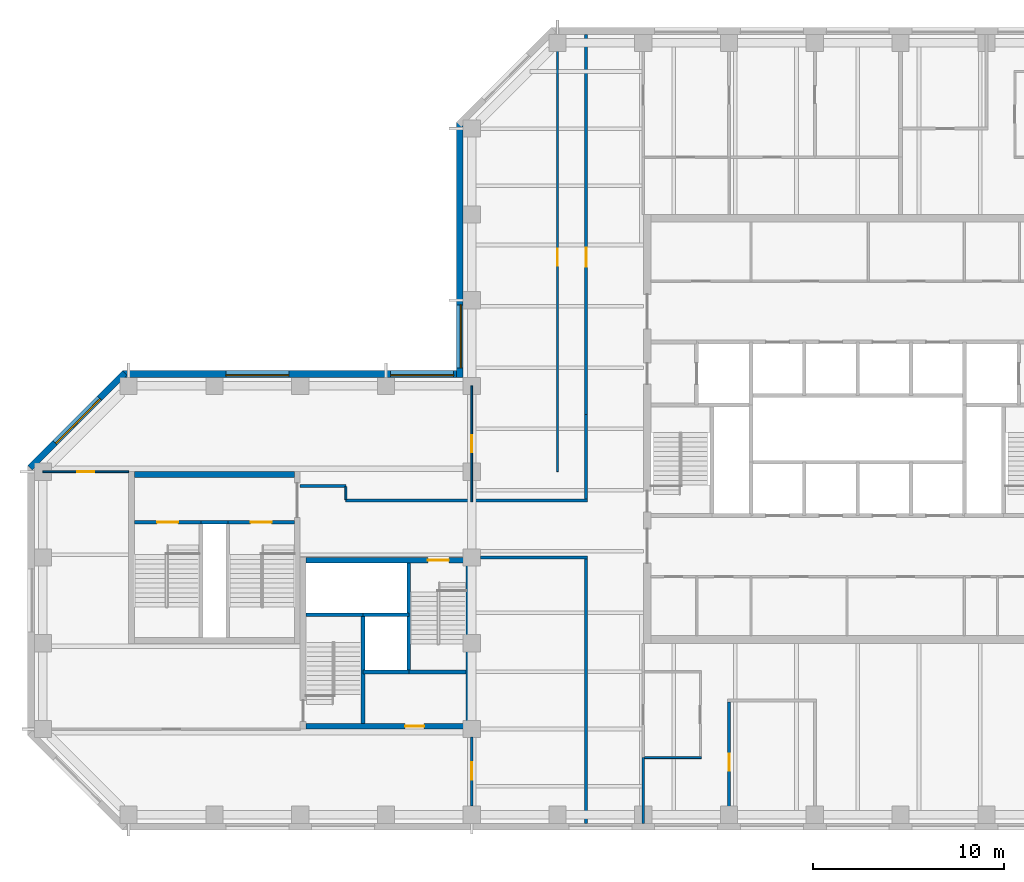
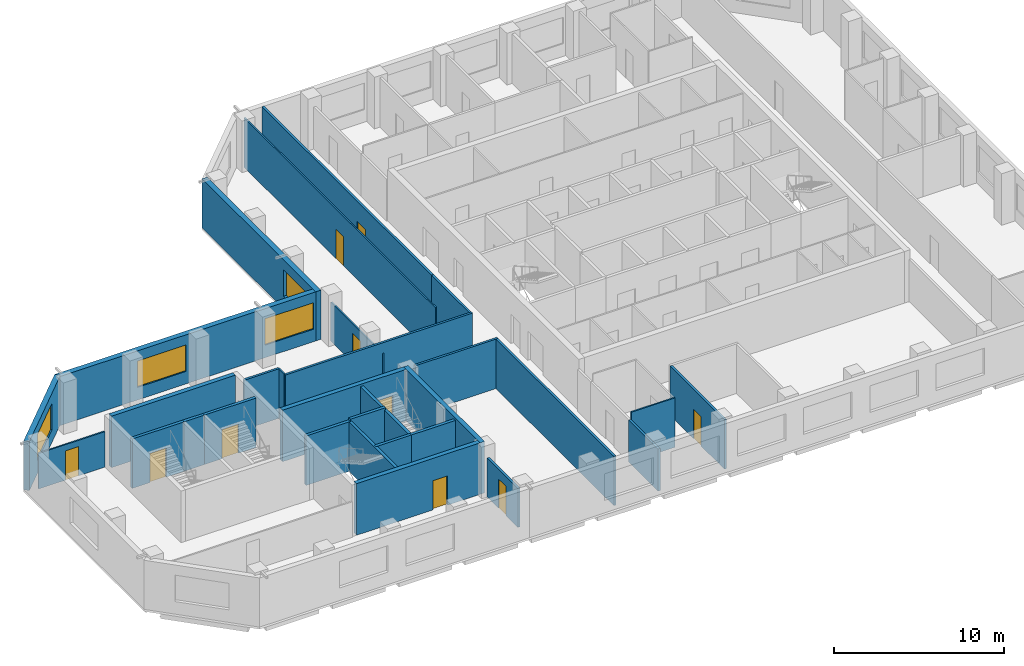
# One storey, part 3 of 9: 30 walls, 10 doors, 4 windows, 14 openings.
"""IFC4 building model written with IfcOpenShell, lengths in metres."""

from ifc_helpers import new_model, si_unit, direction, frame, frame_2d, origin, place, context, subcontext, project, spatial, rectangle, extrude, material, layer, layer_set, constituent, constituent_set, type_object, element, fill, save


model = new_model("IFC4")

# Units and contexts
model_context = context("Model", 3, precision=1e-05, world=origin(), true_north=direction((0.0, 1.0)))
body_context = subcontext(model_context, "Body", "Model", "MODEL_VIEW")
ifc_project = project(units=[si_unit("LENGTHUNIT", "METRE"), si_unit("AREAUNIT", "SQUARE_METRE"), si_unit("VOLUMEUNIT", "CUBIC_METRE"), si_unit("PLANEANGLEUNIT", "RADIAN"), si_unit("MASSUNIT", "GRAM", prefix="KILO")], contexts=[model_context])

# Site, building, storey
site_placement = place(None, origin())
site = spatial("IfcSite", under=ifc_project, at=site_placement, CompositionType="ELEMENT")
building_placement = place(site_placement, origin())
building = spatial("IfcBuilding", under=site, at=building_placement, Name="Quoin Convention Tower", CompositionType="ELEMENT")
storey_placement = place(building_placement, frame((0.0, 0.0, 155.10009765625)))
storey = spatial("IfcBuildingStorey", under=building, at=storey_placement, Name="L40", CompositionType="ELEMENT", Elevation=155.10009765625)

# Wall, opening, door
ifc_material_1 = material(Name="Plasterboard")
ifc_layer_1 = layer(ifc_material_1, 0.012451171875, Name="Finish")
ifc_material_2 = material(Name="Steel stud framing", Category="steel")
ifc_layer_2 = layer(ifc_material_2, 0.125, Name="Structure")
ifc_layer_3 = layer(ifc_material_1, 0.012451171875, Name="Finish")
ifc_layer_set_1 = layer_set([ifc_layer_1, ifc_layer_2, ifc_layer_3], Name="Steel stud framing")
wall_type_1 = type_object("IfcWallType", Name="Acoustic partition 150", PredefinedType="PARTITIONING", material=ifc_layer_set_1)
wall_1_placement = place(storey_placement, frame((49.5, 40.050048828125, 0.0), z_axis=(0.0, 0.0, 1.0), x_axis=(0.0, 1.0, 0.0)))
wall_1 = element("IfcWall", 1, at=wall_1_placement, inside=storey, type_object=wall_type_1, Name="pw-L40-032", PredefinedType="PARTITIONING", context=body_context, shape_type="SweptSolid", body=[
    extrude(rectangle(XDim=6.375, YDim=0.14990234375, at=frame_2d((3.1875, 0.0))), origin(), (0.0, 0.0, 1.0), 3.5498046875),
])
opening_1_placement = place(wall_1_placement, frame((2.75, 0.0, 0.0)))
opening_1 = element("IfcOpeningElement", 2, at=opening_1_placement, cuts=wall_1, Name="Opening DOH2-06", PredefinedType="OPENING", context=body_context, shape_type="SweptSolid", body=[
    extrude(rectangle(XDim=0.89990234375, YDim=2.10009765625, at=frame_2d((0.449951171875, 1.050048828125))), frame((0.0, 0.0849609375, 0.0), z_axis=(0.0, -1.0, 0.0), x_axis=(1.0, 0.0, 0.0)), (0.0, 0.0, 1.0), 0.169921875),
])
ifc_material_3 = material(Name="Steel door leaf", Category="steel")
door_type_1 = type_object("IfcDoorType", Name="Office door 900 x 2100", OperationType="SINGLE_SWING_RIGHT", PredefinedType="DOOR", material=ifc_material_3)
door_1_placement = place(opening_1_placement, origin())
door_1 = element("IfcDoor", 3, at=door_1_placement, inside=storey, type_object=door_type_1, Name="dr-L40-15", OperationType="SINGLE_SWING_RIGHT", OverallHeight=2.10009765625, OverallWidth=0.89990234375, PredefinedType="DOOR", context=body_context, shape_type="SweptSolid", body=[
    extrude(rectangle(XDim=0.89990234375, YDim=2.10009765625, at=frame_2d((0.449951171875, 1.050048828125))), frame((0.0, 0.02490234375, 0.0), z_axis=(0.0, -1.0, 0.0), x_axis=(1.0, 0.0, 0.0)), (0.0, 0.0, 1.0), 0.050048828125),
])
fill(opening_1, door_1)

# Wall, opening, window
ifc_material_4 = material(Name="Brick masonry", Category="masonry")
ifc_layer_4 = layer(ifc_material_4, 0.35009765625)
ifc_layer_set_2 = layer_set([ifc_layer_4], Name="Brick masonry")
wall_type_2 = type_object("IfcWallType", Name="Brick facade wall", PredefinedType="STANDARD", material=ifc_layer_set_2)
wall_2_placement = place(storey_placement, frame((35.375, 76.831298828125, 0.0), z_axis=(0.0, 0.0, 1.0), x_axis=(0.0, -1.0, 0.0)))
wall_2 = element("IfcWall", 4, at=wall_2_placement, inside=storey, type_object=wall_type_2, Name="fw-L40-36000_76500", PredefinedType="STANDARD", context=body_context, shape_type="SweptSolid", body=[
    extrude(rectangle(XDim=13.38134765625, YDim=0.35009765625, at=frame_2d((6.690673828125, 0.0))), origin(), (0.0, 0.0, 1.0), 3.52490234375),
])
opening_2_placement = place(wall_2_placement, frame((9.581298828125, 0.0, 0.89990234375)))
opening_2 = element("IfcOpeningElement", 5, at=opening_2_placement, cuts=wall_2, Name="Opening W-02", PredefinedType="OPENING", context=body_context, shape_type="SweptSolid", body=[
    extrude(rectangle(XDim=3.300048828125, YDim=1.89990234375, at=frame_2d((1.64990234375, 0.949951171875))), frame((0.0, 0.18505859375, 0.0), z_axis=(0.0, -1.0, 0.0), x_axis=(1.0, 0.0, 0.0)), (0.0, 0.0, 1.0), 0.3701171875),
])
ifc_material_5 = material(Name="Aluminium", Category="aluminium")
ifc_constituent_1 = constituent(ifc_material_5, Name="Frame")
ifc_material_6 = material(Name="Insulated glass", Category="glass")
ifc_constituent_2 = constituent(ifc_material_6, Name="Glazing")
ifc_constituent_set = constituent_set(constituents=[ifc_constituent_1, ifc_constituent_2], Name="Aluminium")
window_type = type_object("IfcWindowType", Name="Office window", PartitioningType="DOUBLE_PANEL_VERTICAL", PredefinedType="WINDOW", material=ifc_constituent_set)
window_1_placement = place(opening_2_placement, origin())
window_1 = element("IfcWindow", 6, at=window_1_placement, inside=storey, type_object=window_type, Name="win-L40-35375_65250", OverallHeight=1.89990234375, OverallWidth=3.300048828125, PartitioningType="SINGLE_PANEL", PredefinedType="WINDOW", context=body_context, shape_type="SweptSolid", body=[
    extrude(rectangle(XDim=3.300048828125, YDim=1.89990234375, at=frame_2d((1.64990234375, 0.949951171875))), frame((0.0, 0.0849609375, 0.0), z_axis=(0.0, -1.0, 0.0), x_axis=(1.0, 0.0, 0.0)), (0.0, 0.0, 1.0), 0.06005859375),
])
fill(opening_2, window_1)

# Wall, openings, windows
wall_3_placement = place(storey_placement, frame((35.550048828125, 63.625, 0.0), z_axis=(0.0, 0.0, 1.0), x_axis=(-1.0, 0.0, 0.0)))
wall_3 = element("IfcWall", 7, at=wall_3_placement, inside=storey, type_object=wall_type_2, Name="fw-L40-36000_63000", PredefinedType="STANDARD", context=body_context, shape_type="SweptSolid", body=[
    extrude(rectangle(XDim=17.88134765625, YDim=0.35009765625, at=frame_2d((8.940673828125, 0.0))), origin(), (0.0, 0.0, 1.0), 3.52490234375),
])
opening_3_placement = place(wall_3_placement, frame((0.5, 0.0, 0.89990234375)))
opening_3 = element("IfcOpeningElement", 8, at=opening_3_placement, cuts=wall_3, Name="Opening W-02", PredefinedType="OPENING", context=body_context, shape_type="SweptSolid", body=[
    extrude(rectangle(XDim=3.300048828125, YDim=1.89990234375, at=frame_2d((1.64990234375, 0.949951171875))), frame((0.0, 0.18505859375, 0.0), z_axis=(0.0, -1.0, 0.0), x_axis=(1.0, 0.0, 0.0)), (0.0, 0.0, 1.0), 0.3701171875),
])
opening_4_placement = place(wall_3_placement, frame((9.14990234375, 0.0, 0.89990234375)))
opening_4 = element("IfcOpeningElement", 9, at=opening_4_placement, cuts=wall_3, Name="Opening W-02", PredefinedType="OPENING", context=body_context, shape_type="SweptSolid", body=[
    extrude(rectangle(XDim=3.300048828125, YDim=1.89990234375, at=frame_2d((1.64990234375, 0.949951171875))), frame((0.0, 0.18505859375, 0.0), z_axis=(0.0, -1.0, 0.0), x_axis=(1.0, 0.0, 0.0)), (0.0, 0.0, 1.0), 0.3701171875),
])
window_2_placement = place(opening_3_placement, origin())
window_2 = element("IfcWindow", 10, at=window_2_placement, inside=storey, type_object=window_type, Name="win-L40-33750_63625", OverallHeight=1.89990234375, OverallWidth=3.300048828125, PartitioningType="SINGLE_PANEL", PredefinedType="WINDOW", context=body_context, shape_type="SweptSolid", body=[
    extrude(rectangle(XDim=3.300048828125, YDim=1.89990234375, at=frame_2d((1.64990234375, 0.949951171875))), frame((0.0, 0.0849609375, 0.0), z_axis=(0.0, -1.0, 0.0), x_axis=(1.0, 0.0, 0.0)), (0.0, 0.0, 1.0), 0.06005859375),
])
fill(opening_3, window_2)
window_3_placement = place(opening_4_placement, origin())
window_3 = element("IfcWindow", 11, at=window_3_placement, inside=storey, type_object=window_type, Name="win-L40-24750_63625", OverallHeight=1.89990234375, OverallWidth=3.300048828125, PartitioningType="SINGLE_PANEL", PredefinedType="WINDOW", context=body_context, shape_type="SweptSolid", body=[
    extrude(rectangle(XDim=3.300048828125, YDim=1.89990234375, at=frame_2d((1.64990234375, 0.949951171875))), frame((0.0, 0.0849609375, 0.0), z_axis=(0.0, -1.0, 0.0), x_axis=(1.0, 0.0, 0.0)), (0.0, 0.0, 1.0), 0.06005859375),
])
fill(opening_4, window_3)

# Wall, opening, window
wall_4_placement = place(storey_placement, frame((17.79248046875, 63.67626953125, 0.0), z_axis=(0.0, 0.0, 1.0), x_axis=(-0.707106781187, -0.707106781187, 0.0)))
wall_4 = element("IfcWall", 12, at=wall_4_placement, inside=storey, type_object=wall_type_2, Name="fw-L40-18000_63000", PredefinedType="STANDARD", context=body_context, shape_type="SweptSolid", body=[
    extrude(rectangle(XDim=7.02685546875, YDim=0.35009765625, at=frame_2d((3.513427734375, 0.0))), origin(), (0.0, 0.0, 1.0), 3.52490234375),
])
opening_5_placement = place(wall_4_placement, frame((1.86328125, 0.0, 0.89990234375)))
opening_5 = element("IfcOpeningElement", 13, at=opening_5_placement, cuts=wall_4, Name="Opening W-02", PredefinedType="OPENING", context=body_context, shape_type="SweptSolid", body=[
    extrude(rectangle(XDim=3.300048828125, YDim=1.89990234375, at=frame_2d((1.64990234375, 0.949951171875))), frame((0.0, 0.18505859375, 0.0), z_axis=(0.0, -1.0, 0.0), x_axis=(1.0, 0.0, 0.0)), (0.0, 0.0, 1.0), 0.3701171875),
])
window_4_placement = place(opening_5_placement, origin())
window_4 = element("IfcWindow", 14, at=window_4_placement, inside=storey, type_object=window_type, Name="win-L40-15308_61192", OverallHeight=1.89990234375, OverallWidth=3.300048828125, PartitioningType="SINGLE_PANEL", PredefinedType="WINDOW", context=body_context, shape_type="SweptSolid", body=[
    extrude(rectangle(XDim=3.300048828125, YDim=1.89990234375, at=frame_2d((1.64990234375, 0.949951171875))), frame((0.0, 0.0849609375, 0.0), z_axis=(0.0, -1.0, 0.0), x_axis=(1.0, 0.0, 0.0)), (0.0, 0.0, 1.0), 0.06005859375),
])
fill(opening_5, window_4)

# Walls
ifc_material_7 = material(Name="Concrete C50", Category="concrete")
ifc_layer_5 = layer(ifc_material_7, 0.199951171875)
ifc_layer_set_3 = layer_set([ifc_layer_5], Name="Concrete C50")
wall_type_3 = type_object("IfcWallType", Name="Core shaft wall", PredefinedType="SOLIDWALL", material=ifc_layer_set_3)
wall_5_placement = place(storey_placement, frame((30.300048828125, 48.0, 0.0), z_axis=(0.0, 0.0, 1.0), x_axis=(1.0, 0.0, 0.0)))
element("IfcWall", 15, at=wall_5_placement, inside=storey, type_object=wall_type_3, Name="cr-P2-L40-h3000_3300", PredefinedType="SOLIDWALL", context=body_context, shape_type="SweptSolid", body=[
    extrude(rectangle(XDim=2.39990234375, YDim=0.199951171875, at=frame_2d((1.199951171875, 0.0))), origin(), (0.0, 0.0, 1.0), 3.5498046875),
])
for number, where, z_axis, x_axis, name in (
    (16, (32.699951171875, 48.0, 0.0), (0.0, 0.0, 1.0), (1.0, 0.0, 0.0), "cr-P2-L40-h3000_5700"),
    (17, (27.300048828125, 51.0, 0.0), (0.0, 0.0, 1.0), (1.0, 0.0, 0.0), "cr-P2-L40-h6000_300"),
):
    element("IfcWall", number, at=place(storey_placement, frame(where, z_axis=z_axis, x_axis=x_axis)), inside=storey, type_object=wall_type_3, Name=name, PredefinedType="SOLIDWALL", context=body_context, shape_type="SweptSolid", body=[
        extrude(rectangle(XDim=3.0, YDim=0.199951171875, at=frame_2d((1.5, 0.0))), origin(), (0.0, 0.0, 1.0), 3.5498046875),
    ])
for number, where, z_axis, x_axis, name in (
    (18, (30.300048828125, 45.300048828125, 0.0), (0.0, 0.0, 1.0), (0.0, 1.0, 0.0), "cr-P2-L40-v3300_300"),
    (19, (32.699951171875, 48.0, 0.0), (0.0, 0.0, 1.0), (0.0, 1.0, 0.0), "cr-P2-L40-v5700_3000"),
):
    element("IfcWall", number, at=place(storey_placement, frame(where, z_axis=z_axis, x_axis=x_axis)), inside=storey, type_object=wall_type_3, Name=name, PredefinedType="SOLIDWALL", context=body_context, shape_type="SweptSolid", body=[
        extrude(rectangle(XDim=5.699951171875, YDim=0.199951171875, at=frame_2d((2.85009765625, 0.0))), origin(), (0.0, 0.0, 1.0), 3.5498046875),
    ])
wall_6_placement = place(storey_placement, frame((21.800048828125, 55.85009765625, 0.0), z_axis=(0.0, 0.0, 1.0), x_axis=(1.0, 0.0, 0.0)))
element("IfcWall", 20, at=wall_6_placement, inside=storey, type_object=wall_type_3, Name="cr-P6-L40-h6350_3800", PredefinedType="SOLIDWALL", context=body_context, shape_type="SweptSolid", body=[
    extrude(rectangle(XDim=1.39990234375, YDim=0.199951171875, at=frame_2d((0.699951171875, 0.0))), origin(), (0.0, 0.0, 1.0), 3.5498046875),
])

# Wall, opening, door
wall_7_placement = place(storey_placement, frame((18.300048828125, 55.85009765625, 0.0), z_axis=(0.0, 0.0, 1.0), x_axis=(1.0, 0.0, 0.0)))
wall_7 = element("IfcWall", 21, at=wall_7_placement, inside=storey, type_object=wall_type_3, Name="cr-P6-L40-h6350_300", PredefinedType="SOLIDWALL", context=body_context, shape_type="SweptSolid", body=[
    extrude(rectangle(XDim=3.5, YDim=0.199951171875, at=frame_2d((1.75, 0.0))), origin(), (0.0, 0.0, 1.0), 3.5498046875),
])
opening_6_placement = place(wall_7_placement, frame((1.199951171875, 0.0, 0.0)))
opening_6 = element("IfcOpeningElement", 22, at=opening_6_placement, cuts=wall_7, Name="Opening SD11", PredefinedType="OPENING", context=body_context, shape_type="SweptSolid", body=[
    extrude(rectangle(XDim=1.10009765625, YDim=2.10009765625, at=frame_2d((0.550048828125, 1.050048828125))), frame((0.0, 0.10986328125, 0.0), z_axis=(0.0, -1.0, 0.0), x_axis=(1.0, 0.0, 0.0)), (0.0, 0.0, 1.0), 0.219970703125),
])
door_type_2 = type_object("IfcDoorType", Name="Stair door 1100 x 2100", OperationType="SINGLE_SWING_RIGHT", PredefinedType="DOOR", material=ifc_material_3)
door_2_placement = place(opening_6_placement, origin())
door_2 = element("IfcDoor", 23, at=door_2_placement, inside=storey, type_object=door_type_2, Name="cd-P6-L40-SA-R2-SD11", OperationType="SINGLE_SWING_RIGHT", OverallHeight=2.10009765625, OverallWidth=1.10009765625, PredefinedType="DOOR", context=body_context, shape_type="SweptSolid", body=[
    extrude(rectangle(XDim=1.10009765625, YDim=2.10009765625, at=frame_2d((0.550048828125, 1.050048828125))), frame((0.0, 0.02490234375, 0.0), z_axis=(0.0, -1.0, 0.0), x_axis=(1.0, 0.0, 0.0)), (0.0, 0.0, 1.0), 0.050048828125),
])
fill(opening_6, door_2)

wall_8_placement = place(storey_placement, frame((23.199951171875, 55.85009765625, 0.0), z_axis=(0.0, 0.0, 1.0), x_axis=(1.0, 0.0, 0.0)))
wall_8 = element("IfcWall", 24, at=wall_8_placement, inside=storey, type_object=wall_type_3, Name="cr-P6-L40-h6350_5200", PredefinedType="SOLIDWALL", context=body_context, shape_type="SweptSolid", body=[
    extrude(rectangle(XDim=3.5, YDim=0.199951171875, at=frame_2d((1.75, 0.0))), origin(), (0.0, 0.0, 1.0), 3.5498046875),
])
opening_7_placement = place(wall_8_placement, frame((1.199951171875, 0.0, 0.0)))
opening_7 = element("IfcOpeningElement", 25, at=opening_7_placement, cuts=wall_8, Name="Opening SD12", PredefinedType="OPENING", context=body_context, shape_type="SweptSolid", body=[
    extrude(rectangle(XDim=1.10009765625, YDim=2.10009765625, at=frame_2d((0.550048828125, 1.050048828125))), frame((0.0, 0.10986328125, 0.0), z_axis=(0.0, -1.0, 0.0), x_axis=(1.0, 0.0, 0.0)), (0.0, 0.0, 1.0), 0.219970703125),
])
door_3_placement = place(opening_7_placement, origin())
door_3 = element("IfcDoor", 26, at=door_3_placement, inside=storey, type_object=door_type_2, Name="cd-P6-L40-SB-R2-SD12", OperationType="SINGLE_SWING_RIGHT", OverallHeight=2.10009765625, OverallWidth=1.10009765625, PredefinedType="DOOR", context=body_context, shape_type="SweptSolid", body=[
    extrude(rectangle(XDim=1.10009765625, YDim=2.10009765625, at=frame_2d((0.550048828125, 1.050048828125))), frame((0.0, 0.02490234375, 0.0), z_axis=(0.0, -1.0, 0.0), x_axis=(1.0, 0.0, 0.0)), (0.0, 0.0, 1.0), 0.050048828125),
])
fill(opening_7, door_3)

# Walls
ifc_layer_6 = layer(ifc_material_7, 0.199951171875)
ifc_layer_set_4 = layer_set([ifc_layer_6], Name="Concrete C50")
wall_type_4 = type_object("IfcWallType", Name="Core shaft wall to the floor level over", PredefinedType="SOLIDWALL", material=ifc_layer_set_4)
wall_9_placement = place(storey_placement, frame((30.300048828125, 51.0, 0.0), z_axis=(0.0, 0.0, 1.0), x_axis=(1.0, 0.0, 0.0)))
element("IfcWall", 27, at=wall_9_placement, inside=storey, type_object=wall_type_4, Name="cr-P2-L40-h6000_3300", PredefinedType="SOLIDWALL", context=body_context, shape_type="SweptSolid", body=[
    extrude(rectangle(XDim=2.39990234375, YDim=0.199951171875, at=frame_2d((1.199951171875, 0.0))), origin(), (0.0, 0.0, 1.0), 3.699951171875),
])
ifc_layer_7 = layer(ifc_material_1, 0.012451171875, Name="Finish")
ifc_layer_8 = layer(ifc_material_2, 0.125, Name="Structure")
ifc_layer_9 = layer(ifc_material_1, 0.012451171875, Name="Finish")
ifc_layer_set_5 = layer_set([ifc_layer_7, ifc_layer_8, ifc_layer_9], Name="Steel stud framing")
wall_type_5 = type_object("IfcWallType", Name="Corridor wall 150", PredefinedType="PARTITIONING", material=ifc_layer_set_5)
wall_10_placement = place(storey_placement, frame((36.449951171875, 54.0, 0.0), z_axis=(0.0, 0.0, 1.0), x_axis=(1.0, 0.0, 0.0)))
element("IfcWall", 28, at=wall_10_placement, inside=storey, type_object=wall_type_5, Name="pw-L40-010", PredefinedType="PARTITIONING", context=body_context, shape_type="SweptSolid", body=[
    extrude(rectangle(XDim=5.625, YDim=0.14990234375, at=frame_2d((2.8125, 0.0))), origin(), (0.0, 0.0, 1.0), 3.5498046875),
])
wall_11_placement = place(storey_placement, frame((29.3798828125, 57.0, 0.0), z_axis=(0.0, 0.0, 1.0), x_axis=(1.0, 0.0, 0.0)))
element("IfcWall", 29, at=wall_11_placement, inside=storey, type_object=wall_type_5, Name="pw-L40-011", PredefinedType="PARTITIONING", context=body_context, shape_type="SweptSolid", body=[
    extrude(rectangle(XDim=12.695068359375, YDim=0.14990234375, at=frame_2d((6.34765625, 0.0))), origin(), (0.0, 0.0, 1.0), 3.5498046875),
])
wall_12_placement = place(storey_placement, frame((42.0, 40.050048828125, 0.0), z_axis=(0.0, 0.0, 1.0), x_axis=(0.0, 1.0, 0.0)))
element("IfcWall", 30, at=wall_12_placement, inside=storey, type_object=wall_type_5, Name="pw-L40-030", PredefinedType="PARTITIONING", context=body_context, shape_type="SweptSolid", body=[
    extrude(rectangle(XDim=13.875, YDim=0.14990234375, at=frame_2d((6.9375, 0.0))), origin(), (0.0, 0.0, 1.0), 3.5498046875),
])
wall_13_placement = place(storey_placement, frame((42.0, 57.074951171875, 0.0), z_axis=(0.0, 0.0, 1.0), x_axis=(0.0, 1.0, 0.0)))
element("IfcWall", 31, at=wall_13_placement, inside=storey, type_object=wall_type_5, Name="pw-L40-048", PredefinedType="PARTITIONING", context=body_context, shape_type="SweptSolid", body=[
    extrude(rectangle(XDim=4.425048828125, YDim=0.14990234375, at=frame_2d((2.21240234375, 0.0))), origin(), (0.0, 0.0, 1.0), 3.5498046875),
])

# Wall, opening, door
wall_14_placement = place(storey_placement, frame((42.0, 61.5, 0.0), z_axis=(0.0, 0.0, 1.0), x_axis=(0.0, 1.0, 0.0)))
wall_14 = element("IfcWall", 32, at=wall_14_placement, inside=storey, type_object=wall_type_5, Name="pw-L40-056", PredefinedType="PARTITIONING", context=body_context, shape_type="SweptSolid", body=[
    extrude(rectangle(XDim=19.949951171875, YDim=0.14990234375, at=frame_2d((9.97509765625, 0.0))), origin(), (0.0, 0.0, 1.0), 3.5498046875),
])
opening_8_placement = place(wall_14_placement, frame((7.75, 0.0, 0.0)))
opening_8 = element("IfcOpeningElement", 33, at=opening_8_placement, cuts=wall_14, Name="Opening DOH2-13", PredefinedType="OPENING", context=body_context, shape_type="SweptSolid", body=[
    extrude(rectangle(XDim=1.0, YDim=2.10009765625, at=frame_2d((0.5, 1.050048828125))), frame((0.0, 0.0849609375, 0.0), z_axis=(0.0, -1.0, 0.0), x_axis=(1.0, 0.0, 0.0)), (0.0, 0.0, 1.0), 0.169921875),
])
door_type_3 = type_object("IfcDoorType", Name="Tenancy entrance door 1000 x 2100", OperationType="DOUBLE_DOOR_SINGLE_SWING", PredefinedType="DOOR", material=ifc_material_3)
door_4_placement = place(opening_8_placement, origin())
door_4 = element("IfcDoor", 34, at=door_4_placement, inside=storey, type_object=door_type_3, Name="dr-L40-w01", OperationType="DOUBLE_DOOR_SINGLE_SWING", OverallHeight=2.10009765625, OverallWidth=1.0, PredefinedType="DOOR", context=body_context, shape_type="SweptSolid", body=[
    extrude(rectangle(XDim=1.0, YDim=2.10009765625, at=frame_2d((0.5, 1.050048828125))), frame((0.0, 0.02490234375, 0.0), z_axis=(0.0, -1.0, 0.0), x_axis=(1.0, 0.0, 0.0)), (0.0, 0.0, 1.0), 0.050048828125),
])
fill(opening_8, door_4)

# Walls
wall_15_placement = place(storey_placement, frame((27.0, 57.75, 0.0), z_axis=(0.0, 0.0, 1.0), x_axis=(1.0, 0.0, 0.0)))
element("IfcWall", 35, at=wall_15_placement, inside=storey, type_object=wall_type_5, Name="pw-L40-w05", PredefinedType="PARTITIONING", context=body_context, shape_type="SweptSolid", body=[
    extrude(rectangle(XDim=2.39990234375, YDim=0.14990234375, at=frame_2d((1.199951171875, 0.0))), origin(), (0.0, 0.0, 1.0), 3.5498046875),
])
ifc_layer_10 = layer(ifc_material_1, 0.012451171875, Name="Finish")
ifc_layer_11 = layer(ifc_material_2, 0.125, Name="Structure")
ifc_layer_12 = layer(ifc_material_1, 0.012451171875, Name="Finish")
ifc_layer_set_6 = layer_set([ifc_layer_10, ifc_layer_11, ifc_layer_12], Name="Steel stud framing")
wall_type_6 = type_object("IfcWallType", Name="Corridor wall 150 under beam 528", PredefinedType="PARTITIONING", material=ifc_layer_set_6)
wall_16_placement = place(storey_placement, frame((45.0, 40.050048828125, 0.0), z_axis=(0.0, 0.0, 1.0), x_axis=(0.0, 1.0, 0.0)))
element("IfcWall", 36, at=wall_16_placement, inside=storey, type_object=wall_type_6, Name="pw-L40-031", PredefinedType="PARTITIONING", context=body_context, shape_type="SweptSolid", body=[
    extrude(rectangle(XDim=3.449951171875, YDim=0.14990234375, at=frame_2d((1.72509765625, 0.0))), origin(), (0.0, 0.0, 1.0), 3.02197265625),
])

# Wall, opening, door
ifc_layer_13 = layer(ifc_material_1, 0.012451171875, Name="Finish")
ifc_layer_14 = layer(ifc_material_2, 0.125, Name="Structure")
ifc_layer_15 = layer(ifc_material_1, 0.012451171875, Name="Finish")
ifc_layer_set_7 = layer_set([ifc_layer_13, ifc_layer_14, ifc_layer_15], Name="Steel stud framing")
wall_type_7 = type_object("IfcWallType", Name="Corridor wall 150 under beam 750", PredefinedType="PARTITIONING", material=ifc_layer_set_7)
wall_17_placement = place(storey_placement, frame((36.0, 40.949951171875, 0.0), z_axis=(0.0, 0.0, 1.0), x_axis=(0.0, 1.0, 0.0)))
wall_17 = element("IfcWall", 37, at=wall_17_placement, inside=storey, type_object=wall_type_7, Name="pw-L40-036", PredefinedType="PARTITIONING", context=body_context, shape_type="SweptSolid", body=[
    extrude(rectangle(XDim=3.630126953125, YDim=0.14990234375, at=frame_2d((1.81494140625, 0.0))), origin(), (0.0, 0.0, 1.0), 2.7998046875),
])
opening_9_placement = place(wall_17_placement, frame((1.39990234375, 0.0, 0.0)))
opening_9 = element("IfcOpeningElement", 38, at=opening_9_placement, cuts=wall_17, Name="Opening DOH2-07", PredefinedType="OPENING", context=body_context, shape_type="SweptSolid", body=[
    extrude(rectangle(XDim=0.89990234375, YDim=2.10009765625, at=frame_2d((0.449951171875, 1.050048828125))), frame((0.0, 0.0849609375, 0.0), z_axis=(0.0, -1.0, 0.0), x_axis=(1.0, 0.0, 0.0)), (0.0, 0.0, 1.0), 0.169921875),
])
door_5_placement = place(opening_9_placement, origin())
door_5 = element("IfcDoor", 39, at=door_5_placement, inside=storey, type_object=door_type_1, Name="dr-L40-01", OperationType="SINGLE_SWING_RIGHT", OverallHeight=2.10009765625, OverallWidth=0.89990234375, PredefinedType="DOOR", context=body_context, shape_type="SweptSolid", body=[
    extrude(rectangle(XDim=0.89990234375, YDim=2.10009765625, at=frame_2d((0.449951171875, 1.050048828125))), frame((0.0, 0.02490234375, 0.0), z_axis=(0.0, -1.0, 0.0), x_axis=(1.0, 0.0, 0.0)), (0.0, 0.0, 1.0), 0.050048828125),
])
fill(opening_9, door_5)

ifc_layer_16 = layer(ifc_material_7, 0.300048828125)
ifc_layer_set_8 = layer_set([ifc_layer_16], Name="Concrete C50")
wall_type_8 = type_object("IfcWallType", Name="RC CORE WALL 300 C50", PredefinedType="SHEAR", material=ifc_layer_set_8)
wall_18_placement = place(storey_placement, frame((27.300048828125, 45.14990234375, 0.0), z_axis=(0.0, 0.0, 1.0), x_axis=(1.0, 0.0, 0.0)))
wall_18 = element("IfcWall", 40, at=wall_18_placement, inside=storey, type_object=wall_type_8, Name="cwl-P2-L40-S", PredefinedType="SHEAR", context=body_context, shape_type="SweptSolid", body=[
    extrude(rectangle(XDim=8.39990234375, YDim=0.300048828125, at=frame_2d((4.199951171875, 0.0))), origin(), (0.0, 0.0, 1.0), 3.699951171875),
])
opening_10_placement = place(wall_18_placement, frame((5.199951171875, 0.0, 0.0)))
opening_10 = element("IfcOpeningElement", 41, at=opening_10_placement, cuts=wall_18, Name="Opening DCV2-41", PredefinedType="OPENING", context=body_context, shape_type="SweptSolid", body=[
    extrude(rectangle(XDim=1.0, YDim=2.10009765625, at=frame_2d((0.5, 1.050048828125))), frame((0.0, 0.159912109375, 0.0), z_axis=(0.0, -1.0, 0.0), x_axis=(1.0, 0.0, 0.0)), (0.0, 0.0, 1.0), 0.320068359375),
])
door_type_4 = type_object("IfcDoorType", Name="Service door 1000 x 2100", OperationType="SINGLE_SWING_LEFT", PredefinedType="DOOR", material=ifc_material_3)
door_6_placement = place(opening_10_placement, frame((1.0, 0.0, 0.0), z_axis=(0.0, 0.0, 1.0), x_axis=(-1.0, 0.0, 0.0)))
door_6 = element("IfcDoor", 42, at=door_6_placement, inside=storey, type_object=door_type_4, Name="cd-P2-L40-R2-S", OperationType="SINGLE_SWING_LEFT", OverallHeight=2.10009765625, OverallWidth=1.0, PredefinedType="DOOR", context=body_context, shape_type="SweptSolid", body=[
    extrude(rectangle(XDim=1.0, YDim=2.10009765625, at=frame_2d((0.5, 1.050048828125))), frame((0.0, 0.02490234375, 0.0), z_axis=(0.0, -1.0, 0.0), x_axis=(1.0, 0.0, 0.0)), (0.0, 0.0, 1.0), 0.050048828125),
])
fill(opening_10, door_6)

wall_19_placement = place(storey_placement, frame((27.300048828125, 53.85009765625, 0.0), z_axis=(0.0, 0.0, 1.0), x_axis=(1.0, 0.0, 0.0)))
wall_19 = element("IfcWall", 43, at=wall_19_placement, inside=storey, type_object=wall_type_8, Name="cwl-P2-L40-N", PredefinedType="SHEAR", context=body_context, shape_type="SweptSolid", body=[
    extrude(rectangle(XDim=8.39990234375, YDim=0.300048828125, at=frame_2d((4.199951171875, 0.0))), origin(), (0.0, 0.0, 1.0), 3.699951171875),
])
opening_11_placement = place(wall_19_placement, frame((6.39990234375, 0.0, 0.0)))
opening_11 = element("IfcOpeningElement", 44, at=opening_11_placement, cuts=wall_19, Name="Opening SD4", PredefinedType="OPENING", context=body_context, shape_type="SweptSolid", body=[
    extrude(rectangle(XDim=1.10009765625, YDim=2.10009765625, at=frame_2d((0.550048828125, 1.050048828125))), frame((0.0, 0.159912109375, 0.0), z_axis=(0.0, -1.0, 0.0), x_axis=(1.0, 0.0, 0.0)), (0.0, 0.0, 1.0), 0.320068359375),
])
door_7_placement = place(opening_11_placement, frame((1.10009765625, 0.0, 0.0), z_axis=(0.0, 0.0, 1.0), x_axis=(-1.0, 0.0, 0.0)))
door_7 = element("IfcDoor", 45, at=door_7_placement, inside=storey, type_object=door_type_2, Name="cd-P2-L40-SB-N", OperationType="SINGLE_SWING_LEFT", OverallHeight=2.10009765625, OverallWidth=1.10009765625, PredefinedType="DOOR", context=body_context, shape_type="SweptSolid", body=[
    extrude(rectangle(XDim=1.10009765625, YDim=2.10009765625, at=frame_2d((0.550048828125, 1.050048828125))), frame((0.0, 0.02490234375, 0.0), z_axis=(0.0, -1.0, 0.0), x_axis=(1.0, 0.0, 0.0)), (0.0, 0.0, 1.0), 0.050048828125),
])
fill(opening_11, door_7)

# Walls
wall_20_placement = place(storey_placement, frame((35.85009765625, 45.0, 0.0), z_axis=(0.0, 0.0, 1.0), x_axis=(0.0, 1.0, 0.0)))
element("IfcWall", 46, at=wall_20_placement, inside=storey, type_object=wall_type_8, Name="cwl-P2-L40-E", PredefinedType="SHEAR", context=body_context, shape_type="SweptSolid", body=[
    extrude(rectangle(XDim=9.0, YDim=0.300048828125, at=frame_2d((4.5, 0.0))), origin(), (0.0, 0.0, 1.0), 3.699951171875),
])
wall_21_placement = place(storey_placement, frame((18.300048828125, 58.35009765625, 0.0), z_axis=(0.0, 0.0, 1.0), x_axis=(1.0, 0.0, 0.0)))
element("IfcWall", 47, at=wall_21_placement, inside=storey, type_object=wall_type_8, Name="cwl-P6-L40-N", PredefinedType="SHEAR", context=body_context, shape_type="SweptSolid", body=[
    extrude(rectangle(XDim=8.39990234375, YDim=0.300048828125, at=frame_2d((4.199951171875, 0.0))), origin(), (0.0, 0.0, 1.0), 3.699951171875),
])
ifc_layer_17 = layer(ifc_material_1, 0.012451171875, Name="Finish")
ifc_layer_18 = layer(ifc_material_2, 0.074951171875, Name="Structure")
ifc_layer_19 = layer(ifc_material_1, 0.012451171875, Name="Finish")
ifc_layer_set_9 = layer_set([ifc_layer_17, ifc_layer_18, ifc_layer_19], Name="Steel stud framing")
wall_type_9 = type_object("IfcWallType", Name="Stud partition 100", PredefinedType="PARTITIONING", material=ifc_layer_set_9)
wall_22_placement = place(storey_placement, frame((45.074951171875, 43.5, 0.0), z_axis=(0.0, 0.0, 1.0), x_axis=(1.0, 0.0, 0.0)))
element("IfcWall", 48, at=wall_22_placement, inside=storey, type_object=wall_type_9, Name="pw-L40-001", PredefinedType="PARTITIONING", context=body_context, shape_type="SweptSolid", body=[
    extrude(rectangle(XDim=2.97509765625, YDim=0.10009765625, at=frame_2d((1.487548828125, 0.0))), origin(), (0.0, 0.0, 1.0), 3.5498046875),
])

# Wall, opening, door
wall_23_placement = place(storey_placement, frame((40.5, 81.0, 0.0), z_axis=(0.0, 0.0, 1.0), x_axis=(0.0, -1.0, 0.0)))
wall_23 = element("IfcWall", 49, at=wall_23_placement, inside=storey, type_object=wall_type_9, Name="pw-L40-w01", PredefinedType="PARTITIONING", context=body_context, shape_type="SweptSolid", body=[
    extrude(rectangle(XDim=22.5, YDim=0.10009765625, at=frame_2d((11.25, 0.0))), origin(), (0.0, 0.0, 1.0), 3.5498046875),
])
opening_12_placement = place(wall_23_placement, frame((10.800048828125, 0.0, 0.0)))
opening_12 = element("IfcOpeningElement", 50, at=opening_12_placement, cuts=wall_23, Name="Opening DOH2-19", PredefinedType="OPENING", context=body_context, shape_type="SweptSolid", body=[
    extrude(rectangle(XDim=0.89990234375, YDim=2.10009765625, at=frame_2d((0.449951171875, 1.050048828125))), frame((0.0, 0.06005859375, 0.0), z_axis=(0.0, -1.0, 0.0), x_axis=(1.0, 0.0, 0.0)), (0.0, 0.0, 1.0), 0.1201171875),
])
door_8_placement = place(opening_12_placement, frame((0.89990234375, 0.0, 0.0), z_axis=(0.0, 0.0, 1.0), x_axis=(-1.0, 0.0, 0.0)))
door_8 = element("IfcDoor", 51, at=door_8_placement, inside=storey, type_object=door_type_1, Name="dr-L40-w02", OperationType="SINGLE_SWING_RIGHT", OverallHeight=2.10009765625, OverallWidth=0.89990234375, PredefinedType="DOOR", context=body_context, shape_type="SweptSolid", body=[
    extrude(rectangle(XDim=0.89990234375, YDim=2.10009765625, at=frame_2d((0.449951171875, 1.050048828125))), frame((0.0, 0.02490234375, 0.0), z_axis=(0.0, -1.0, 0.0), x_axis=(1.0, 0.0, 0.0)), (0.0, 0.0, 1.0), 0.050048828125),
])
fill(opening_12, door_8)

# Wall
wall_24_placement = place(storey_placement, frame((29.39990234375, 57.715087890625, 0.0), z_axis=(0.0, 0.0, 1.0), x_axis=(0.0, -1.0, 0.0)))
element("IfcWall", 52, at=wall_24_placement, inside=storey, type_object=wall_type_9, Name="pw-L40-w06", PredefinedType="PARTITIONING", context=body_context, shape_type="SweptSolid", body=[
    extrude(rectangle(XDim=0.68017578125, YDim=0.10009765625, at=frame_2d((0.340087890625, 0.0))), origin(), (0.0, 0.0, 1.0), 3.5498046875),
])

# Wall, opening, door
ifc_layer_20 = layer(ifc_material_1, 0.012451171875, Name="Finish")
ifc_layer_21 = layer(ifc_material_2, 0.074951171875, Name="Structure")
ifc_layer_22 = layer(ifc_material_1, 0.012451171875, Name="Finish")
ifc_layer_set_10 = layer_set([ifc_layer_20, ifc_layer_21, ifc_layer_22], Name="Steel stud framing")
wall_type_10 = type_object("IfcWallType", Name="Stud partition 100 under beam 1000", PredefinedType="PARTITIONING", material=ifc_layer_set_10)
wall_25_placement = place(storey_placement, frame((13.5, 58.5, 0.0), z_axis=(0.0, 0.0, 1.0), x_axis=(1.0, 0.0, 0.0)))
wall_25 = element("IfcWall", 53, at=wall_25_placement, inside=storey, type_object=wall_type_10, Name="pw-L40-w03", PredefinedType="PARTITIONING", context=body_context, shape_type="SweptSolid", body=[
    extrude(rectangle(XDim=4.5, YDim=0.10009765625, at=frame_2d((2.25, 0.0))), origin(), (0.0, 0.0, 1.0), 2.5498046875),
])
opening_13_placement = place(wall_25_placement, frame((1.800048828125, 0.0, 0.0)))
opening_13 = element("IfcOpeningElement", 54, at=opening_13_placement, cuts=wall_25, Name="Opening DOH2-21", PredefinedType="OPENING", context=body_context, shape_type="SweptSolid", body=[
    extrude(rectangle(XDim=0.89990234375, YDim=2.10009765625, at=frame_2d((0.449951171875, 1.050048828125))), frame((0.0, 0.06005859375, 0.0), z_axis=(0.0, -1.0, 0.0), x_axis=(1.0, 0.0, 0.0)), (0.0, 0.0, 1.0), 0.1201171875),
])
door_9_placement = place(opening_13_placement, origin())
door_9 = element("IfcDoor", 55, at=door_9_placement, inside=storey, type_object=door_type_1, Name="dr-L40-w04", OperationType="SINGLE_SWING_RIGHT", OverallHeight=2.10009765625, OverallWidth=0.89990234375, PredefinedType="DOOR", context=body_context, shape_type="SweptSolid", body=[
    extrude(rectangle(XDim=0.89990234375, YDim=2.10009765625, at=frame_2d((0.449951171875, 1.050048828125))), frame((0.0, 0.02490234375, 0.0), z_axis=(0.0, -1.0, 0.0), x_axis=(1.0, 0.0, 0.0)), (0.0, 0.0, 1.0), 0.050048828125),
])
fill(opening_13, door_9)

ifc_layer_23 = layer(ifc_material_1, 0.012451171875, Name="Finish")
ifc_layer_24 = layer(ifc_material_2, 0.074951171875, Name="Structure")
ifc_layer_25 = layer(ifc_material_1, 0.012451171875, Name="Finish")
ifc_layer_set_11 = layer_set([ifc_layer_23, ifc_layer_24, ifc_layer_25], Name="Steel stud framing")
wall_type_11 = type_object("IfcWallType", Name="Stud partition 100 under beam 750", PredefinedType="PARTITIONING", material=ifc_layer_set_11)
wall_26_placement = place(storey_placement, frame((36.0, 63.0, 0.0), z_axis=(0.0, 0.0, 1.0), x_axis=(0.0, -1.0, 0.0)))
wall_26 = element("IfcWall", 56, at=wall_26_placement, inside=storey, type_object=wall_type_11, Name="pw-L40-w02", PredefinedType="PARTITIONING", context=body_context, shape_type="SweptSolid", body=[
    extrude(rectangle(XDim=6.074951171875, YDim=0.10009765625, at=frame_2d((3.03759765625, 0.0))), origin(), (0.0, 0.0, 1.0), 2.7998046875),
])
opening_14_placement = place(wall_26_placement, frame((2.587890625, 0.0, 0.0)))
opening_14 = element("IfcOpeningElement", 57, at=opening_14_placement, cuts=wall_26, Name="Opening DOH2-20", PredefinedType="OPENING", context=body_context, shape_type="SweptSolid", body=[
    extrude(rectangle(XDim=0.89990234375, YDim=2.10009765625, at=frame_2d((0.449951171875, 1.050048828125))), frame((0.0, 0.06005859375, 0.0), z_axis=(0.0, -1.0, 0.0), x_axis=(1.0, 0.0, 0.0)), (0.0, 0.0, 1.0), 0.1201171875),
])
door_10_placement = place(opening_14_placement, frame((0.89990234375, 0.0, 0.0), z_axis=(0.0, 0.0, 1.0), x_axis=(-1.0, 0.0, 0.0)))
door_10 = element("IfcDoor", 58, at=door_10_placement, inside=storey, type_object=door_type_1, Name="dr-L40-w03", OperationType="SINGLE_SWING_LEFT", OverallHeight=2.10009765625, OverallWidth=0.89990234375, PredefinedType="DOOR", context=body_context, shape_type="SweptSolid", body=[
    extrude(rectangle(XDim=0.89990234375, YDim=2.10009765625, at=frame_2d((0.449951171875, 1.050048828125))), frame((0.0, 0.02490234375, 0.0), z_axis=(0.0, -1.0, 0.0), x_axis=(1.0, 0.0, 0.0)), (0.0, 0.0, 1.0), 0.050048828125),
])
fill(opening_14, door_10)

save(model, "model.ifc")
